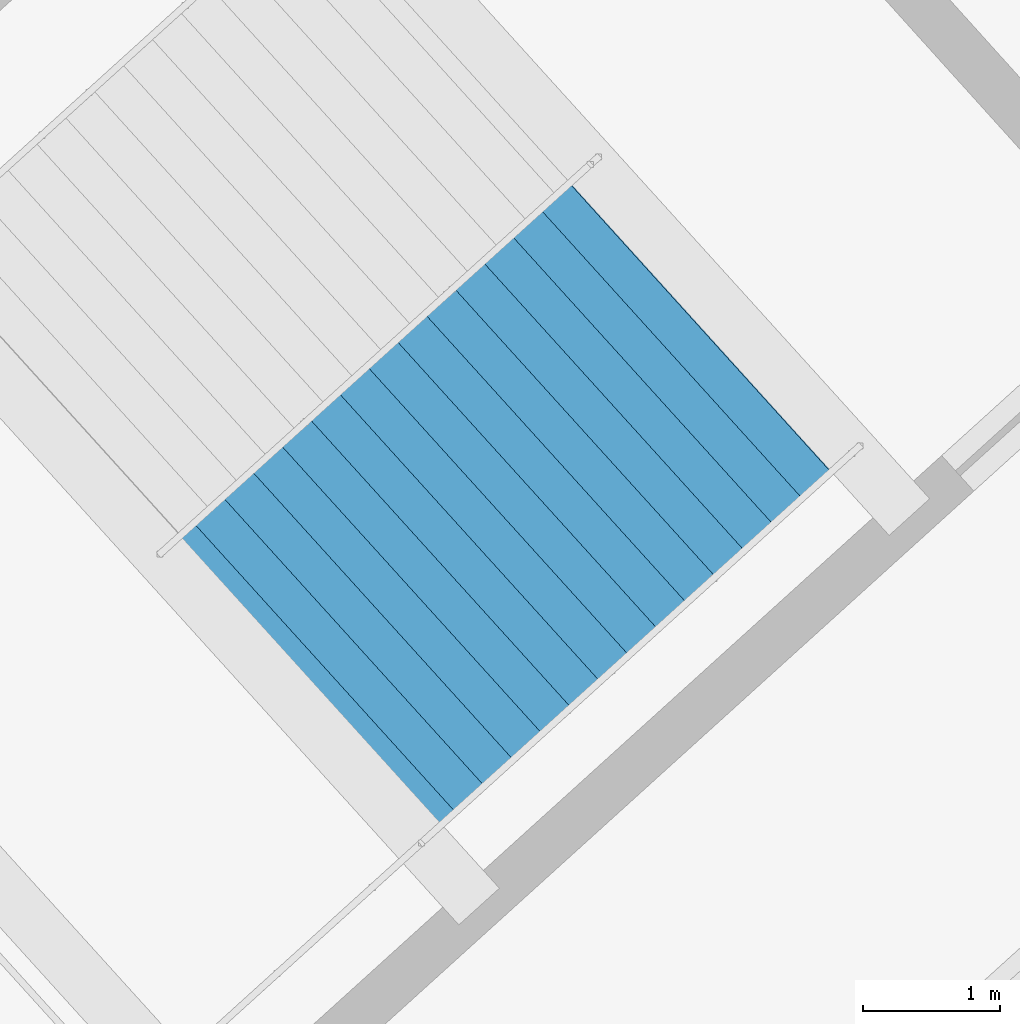
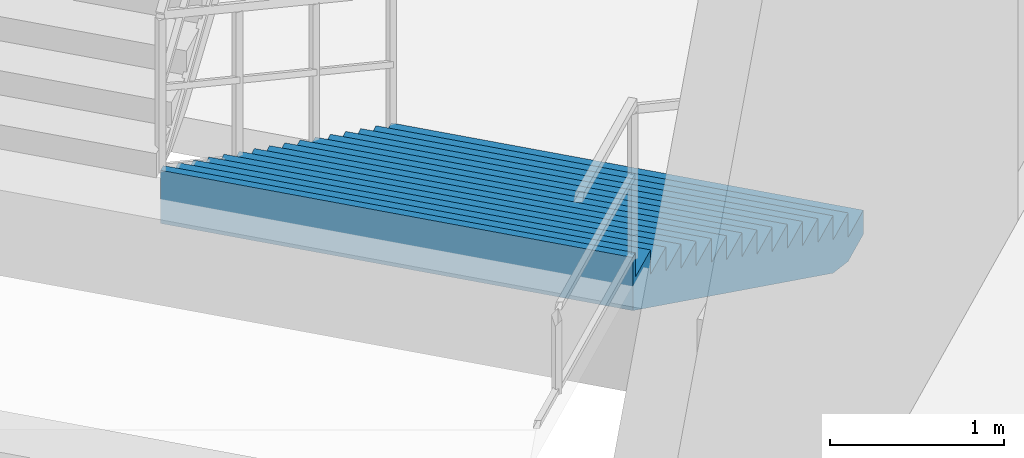
# One storey, part 92 of 103: 1 stair flight, 1 element without a shape of its own.
"""IFC4 building model written with IfcOpenShell, lengths in metres."""

from ifc_helpers import new_model, si_unit, direction, frame, origin, place, context, subcontext, project, spatial, polygons, material, type_object, element, aggregate, save


model = new_model("IFC4")

# Units and contexts
model_context = context("Model", 3, precision=1e-05, world=origin(), true_north=direction((0.0, 1.0)))
body_context = subcontext(model_context, "Body", "Model", "MODEL_VIEW")
ifc_project = project(units=[si_unit("LENGTHUNIT", "METRE"), si_unit("AREAUNIT", "SQUARE_METRE"), si_unit("VOLUMEUNIT", "CUBIC_METRE"), si_unit("PLANEANGLEUNIT", "RADIAN"), si_unit("MASSUNIT", "GRAM", prefix="KILO")], contexts=[model_context])

# Site, building, storey
site_placement = place(None, origin())
site = spatial("IfcSite", under=ifc_project, at=site_placement, CompositionType="ELEMENT")
building_placement = place(site_placement, origin())
building = spatial("IfcBuilding", under=site, at=building_placement, Name="Kazemori Nagisa Stadium", CompositionType="ELEMENT")
storey_placement = place(building_placement, frame((0.0, 0.0, 25.840087890625)))
storey = spatial("IfcBuildingStorey", under=building, at=storey_placement, Name="L05", CompositionType="ELEMENT", Elevation=25.840087890625)

# Stair, stair flight
ifc_material = material(Name="Concrete C36/45 (Fc36)", Category="concrete")
stair_type = type_object("IfcStairType", Name="Stair_CORE_32", PredefinedType="TWO_STRAIGHT_RUN_STAIR", material=ifc_material)
stair_placement = place(storey_placement, origin())
stair = element("IfcStair", 1, at=stair_placement, inside=storey, type_object=stair_type, Name="Exit stair ST02 L05", PredefinedType="TWO_STRAIGHT_RUN_STAIR")
stair_flight_type = type_object("IfcStairFlightType", Name="Flight_CORE_16", PredefinedType="STRAIGHT", material=ifc_material)
stair_flight_placement = place(storey_placement, frame((63.22412109375, 164.589599609375, 0.0), z_axis=(0.0, 0.0, 1.0), x_axis=(-0.741328742395, -0.671142083093, 0.0)))
stair_flight = element("IfcStairFlight", 2, at=stair_flight_placement, type_object=stair_flight_type, Name="Exit stair ST02 L05 flight 1", NumberOfRisers=16, NumberOfTreads=15, PredefinedType="STRAIGHT", RiserHeight=0.17, TreadLength=0.285, context=body_context, shape_type="Tessellation", body=[
    polygons([(0.0, -1.425048828125, 0.0), (0.0, -1.425048828125, 0.169921875), (0.284912109375, -1.425048828125, 0.169921875), (0.284912109375, -1.425048828125, 0.340087890625), (0.570068359375, -1.425048828125, 0.340087890625), (0.570068359375, -1.425048828125, 0.510009765625), (0.85498046875, -1.425048828125, 0.510009765625), (0.85498046875, -1.425048828125, 0.679931640625), (1.139892578125, -1.425048828125, 0.679931640625), (1.139892578125, -1.425048828125, 0.85009765625), (1.425048828125, -1.425048828125, 0.85009765625), (1.425048828125, -1.425048828125, 1.02001953125), (1.7099609375, -1.425048828125, 1.02001953125), (1.7099609375, -1.425048828125, 1.18994140625), (1.9951171875, -1.425048828125, 1.18994140625), (1.9951171875, -1.425048828125, 1.360107421875), (2.280029296875, -1.425048828125, 1.360107421875), (2.280029296875, -1.425048828125, 1.530029296875), (2.56494140625, -1.425048828125, 1.530029296875), (2.56494140625, -1.425048828125, 1.699951171875), (2.85009765625, -1.425048828125, 1.699951171875), (2.85009765625, -1.425048828125, 1.8701171875), (3.135009765625, -1.425048828125, 1.8701171875), (3.135009765625, -1.425048828125, 2.0400390625), (3.419921875, -1.425048828125, 2.0400390625), (3.419921875, -1.425048828125, 2.2099609375), (3.705078125, -1.425048828125, 2.2099609375), (3.705078125, -1.425048828125, 2.3798828125), (3.989990234375, -1.425048828125, 2.3798828125), (3.989990234375, -1.425048828125, 2.550048828125), (4.27490234375, -1.425048828125, 2.550048828125), (4.27490234375, -1.425048828125, 2.719970703125), (4.324951171875, -1.425048828125, 2.719970703125), (4.324951171875, -1.425048828125, 2.346923828125), (4.27490234375, -1.425048828125, 2.317138671875), (3.989990234375, -1.425048828125, 2.147216796875), (3.705078125, -1.425048828125, 1.977294921875), (3.419921875, -1.425048828125, 1.80712890625), (3.135009765625, -1.425048828125, 1.63720703125), (2.85009765625, -1.425048828125, 1.46728515625), (2.56494140625, -1.425048828125, 1.297119140625), (2.280029296875, -1.425048828125, 1.127197265625), (1.9951171875, -1.425048828125, 0.957275390625), (1.7099609375, -1.425048828125, 0.787109375), (1.425048828125, -1.425048828125, 0.6171875), (1.139892578125, -1.425048828125, 0.447265625), (0.85498046875, -1.425048828125, 0.277099609375), (0.570068359375, -1.425048828125, 0.107177734375), (0.284912109375, -1.425048828125, 0.0), (0.0, -0.08544921875, 0.0), (0.0, -0.08544921875, 0.169921875), (0.284912109375, -0.08544921875, 0.169921875), (0.284912109375, -0.08544921875, 0.340087890625), (0.570068359375, -0.08544921875, 0.340087890625), (0.570068359375, -0.08544921875, 0.510009765625), (0.85498046875, -0.08544921875, 0.510009765625), (0.85498046875, -0.08544921875, 0.679931640625), (1.139892578125, -0.08544921875, 0.679931640625), (1.139892578125, -0.08544921875, 0.85009765625), (1.425048828125, -0.08544921875, 0.85009765625), (1.425048828125, -0.08544921875, 1.02001953125), (1.7099609375, -0.08544921875, 1.02001953125), (1.7099609375, -0.08544921875, 1.18994140625), (1.9951171875, -0.08544921875, 1.18994140625), (1.9951171875, -0.08544921875, 1.360107421875), (2.280029296875, -0.08544921875, 1.360107421875), (2.280029296875, -0.08544921875, 1.530029296875), (2.56494140625, -0.08544921875, 1.530029296875), (2.56494140625, -0.08544921875, 1.699951171875), (2.85009765625, -0.08544921875, 1.699951171875), (2.85009765625, -0.08544921875, 1.8701171875), (3.135009765625, -0.08544921875, 1.8701171875), (3.135009765625, -0.08544921875, 2.0400390625), (3.419921875, -0.08544921875, 2.0400390625), (3.419921875, -0.08544921875, 2.2099609375), (3.705078125, -0.08544921875, 2.2099609375), (3.705078125, -0.08544921875, 2.3798828125), (3.989990234375, -0.08544921875, 2.3798828125), (3.989990234375, -0.08544921875, 2.550048828125), (4.27490234375, -0.08544921875, 2.550048828125), (4.27490234375, -0.08544921875, 2.719970703125), (4.324951171875, -0.08544921875, 2.719970703125), (4.324951171875, -0.08544921875, 2.346923828125), (4.27490234375, -0.08544921875, 2.317138671875), (3.989990234375, -0.08544921875, 2.147216796875), (3.705078125, -0.08544921875, 1.977294921875), (3.419921875, -0.08544921875, 1.80712890625), (3.135009765625, -0.08544921875, 1.63720703125), (2.85009765625, -0.08544921875, 1.46728515625), (2.56494140625, -0.08544921875, 1.297119140625), (2.280029296875, -0.08544921875, 1.127197265625), (1.9951171875, -0.08544921875, 0.957275390625), (1.7099609375, -0.08544921875, 0.787109375), (1.425048828125, -0.08544921875, 0.6171875), (1.139892578125, -0.08544921875, 0.447265625), (0.85498046875, -0.08544921875, 0.277099609375), (0.570068359375, -0.08544921875, 0.107177734375), (0.284912109375, -0.08544921875, 0.0), (0.0, 0.0, 0.0), (0.0, 0.0, 0.169921875), (0.284912109375, 0.0, 0.169921875), (0.284912109375, 0.0, 0.340087890625), (0.570068359375, 0.0, 0.340087890625), (0.570068359375, 0.0, 0.510009765625), (0.85498046875, 0.0, 0.510009765625), (0.85498046875, 0.0, 0.679931640625), (1.139892578125, 0.0, 0.679931640625), (1.139892578125, 0.0, 0.85009765625), (1.425048828125, 0.0, 0.85009765625), (1.425048828125, 0.0, 1.02001953125), (1.7099609375, 0.0, 1.02001953125), (1.7099609375, 0.0, 1.18994140625), (1.9951171875, 0.0, 1.18994140625), (1.9951171875, 0.0, 1.360107421875), (2.280029296875, 0.0, 1.360107421875), (2.280029296875, 0.0, 1.530029296875), (2.56494140625, 0.0, 1.530029296875), (2.56494140625, 0.0, 1.699951171875), (2.85009765625, 0.0, 1.699951171875), (2.85009765625, 0.0, 1.8701171875), (3.135009765625, 0.0, 1.8701171875), (3.135009765625, 0.0, 2.0400390625), (3.419921875, 0.0, 2.0400390625), (3.419921875, 0.0, 2.2099609375), (3.705078125, 0.0, 2.2099609375), (3.705078125, 0.0, 2.3798828125), (3.989990234375, 0.0, 2.3798828125), (3.989990234375, 0.0, 2.550048828125), (4.27490234375, 0.0, 2.550048828125), (4.27490234375, 0.0, 2.719970703125), (4.324951171875, 0.0, 2.719970703125), (4.324951171875, 0.0, 2.346923828125), (4.27490234375, 0.0, 2.317138671875), (3.989990234375, 0.0, 2.147216796875), (3.705078125, 0.0, 1.977294921875), (3.419921875, 0.0, 1.80712890625), (3.135009765625, 0.0, 1.63720703125), (2.85009765625, 0.0, 1.46728515625), (2.56494140625, 0.0, 1.297119140625), (2.280029296875, 0.0, 1.127197265625), (1.9951171875, 0.0, 0.957275390625), (1.7099609375, 0.0, 0.787109375), (1.425048828125, 0.0, 0.6171875), (1.139892578125, 0.0, 0.447265625), (0.85498046875, 0.0, 0.277099609375), (0.570068359375, 0.0, 0.107177734375), (0.284912109375, 0.0, 0.0), (0.0, 0.08544921875, 0.0), (0.0, 0.08544921875, 0.169921875), (0.284912109375, 0.08544921875, 0.169921875), (0.284912109375, 0.08544921875, 0.340087890625), (0.570068359375, 0.08544921875, 0.340087890625), (0.570068359375, 0.08544921875, 0.510009765625), (0.85498046875, 0.08544921875, 0.510009765625), (0.85498046875, 0.08544921875, 0.679931640625), (1.139892578125, 0.08544921875, 0.679931640625), (1.139892578125, 0.08544921875, 0.85009765625), (1.425048828125, 0.08544921875, 0.85009765625), (1.425048828125, 0.08544921875, 1.02001953125), (1.7099609375, 0.08544921875, 1.02001953125), (1.7099609375, 0.08544921875, 1.18994140625), (1.9951171875, 0.08544921875, 1.18994140625), (1.9951171875, 0.08544921875, 1.360107421875), (2.280029296875, 0.08544921875, 1.360107421875), (2.280029296875, 0.08544921875, 1.530029296875), (2.56494140625, 0.08544921875, 1.530029296875), (2.56494140625, 0.08544921875, 1.699951171875), (2.85009765625, 0.08544921875, 1.699951171875), (2.85009765625, 0.08544921875, 1.8701171875), (3.135009765625, 0.08544921875, 1.8701171875), (3.135009765625, 0.08544921875, 2.0400390625), (3.419921875, 0.08544921875, 2.0400390625), (3.419921875, 0.08544921875, 2.2099609375), (3.705078125, 0.08544921875, 2.2099609375), (3.705078125, 0.08544921875, 2.3798828125), (3.989990234375, 0.08544921875, 2.3798828125), (3.989990234375, 0.08544921875, 2.550048828125), (4.27490234375, 0.08544921875, 2.550048828125), (4.27490234375, 0.08544921875, 2.719970703125), (4.324951171875, 0.08544921875, 2.719970703125), (4.324951171875, 0.08544921875, 2.346923828125), (4.27490234375, 0.08544921875, 2.317138671875), (3.989990234375, 0.08544921875, 2.147216796875), (3.705078125, 0.08544921875, 1.977294921875), (3.419921875, 0.08544921875, 1.80712890625), (3.135009765625, 0.08544921875, 1.63720703125), (2.85009765625, 0.08544921875, 1.46728515625), (2.56494140625, 0.08544921875, 1.297119140625), (2.280029296875, 0.08544921875, 1.127197265625), (1.9951171875, 0.08544921875, 0.957275390625), (1.7099609375, 0.08544921875, 0.787109375), (1.425048828125, 0.08544921875, 0.6171875), (1.139892578125, 0.08544921875, 0.447265625), (0.85498046875, 0.08544921875, 0.277099609375), (0.570068359375, 0.08544921875, 0.107177734375), (0.284912109375, 0.08544921875, 0.0), (0.0, 1.425048828125, 0.0), (0.0, 1.425048828125, 0.169921875), (0.284912109375, 1.425048828125, 0.169921875), (0.284912109375, 1.425048828125, 0.340087890625), (0.570068359375, 1.425048828125, 0.340087890625), (0.570068359375, 1.425048828125, 0.510009765625), (0.85498046875, 1.425048828125, 0.510009765625), (0.85498046875, 1.425048828125, 0.679931640625), (1.139892578125, 1.425048828125, 0.679931640625), (1.139892578125, 1.425048828125, 0.85009765625), (1.425048828125, 1.425048828125, 0.85009765625), (1.425048828125, 1.425048828125, 1.02001953125), (1.7099609375, 1.425048828125, 1.02001953125), (1.7099609375, 1.425048828125, 1.18994140625), (1.9951171875, 1.425048828125, 1.18994140625), (1.9951171875, 1.425048828125, 1.360107421875), (2.280029296875, 1.425048828125, 1.360107421875), (2.280029296875, 1.425048828125, 1.530029296875), (2.56494140625, 1.425048828125, 1.530029296875), (2.56494140625, 1.425048828125, 1.699951171875), (2.85009765625, 1.425048828125, 1.699951171875), (2.85009765625, 1.425048828125, 1.8701171875), (3.135009765625, 1.425048828125, 1.8701171875), (3.135009765625, 1.425048828125, 2.0400390625), (3.419921875, 1.425048828125, 2.0400390625), (3.419921875, 1.425048828125, 2.2099609375), (3.705078125, 1.425048828125, 2.2099609375), (3.705078125, 1.425048828125, 2.3798828125), (3.989990234375, 1.425048828125, 2.3798828125), (3.989990234375, 1.425048828125, 2.550048828125), (4.27490234375, 1.425048828125, 2.550048828125), (4.27490234375, 1.425048828125, 2.719970703125), (4.324951171875, 1.425048828125, 2.719970703125), (4.324951171875, 1.425048828125, 2.346923828125), (4.27490234375, 1.425048828125, 2.317138671875), (3.989990234375, 1.425048828125, 2.147216796875), (3.705078125, 1.425048828125, 1.977294921875), (3.419921875, 1.425048828125, 1.80712890625), (3.135009765625, 1.425048828125, 1.63720703125), (2.85009765625, 1.425048828125, 1.46728515625), (2.56494140625, 1.425048828125, 1.297119140625), (2.280029296875, 1.425048828125, 1.127197265625), (1.9951171875, 1.425048828125, 0.957275390625), (1.7099609375, 1.425048828125, 0.787109375), (1.425048828125, 1.425048828125, 0.6171875), (1.139892578125, 1.425048828125, 0.447265625), (0.85498046875, 1.425048828125, 0.277099609375), (0.570068359375, 1.425048828125, 0.107177734375), (0.284912109375, 1.425048828125, 0.0)], [[[1, 2, 51]], [[1, 51, 50]], [[2, 3, 52]], [[2, 52, 51]], [[3, 4, 53]], [[3, 53, 52]], [[4, 5, 54]], [[4, 54, 53]], [[5, 6, 55]], [[5, 55, 54]], [[6, 7, 56]], [[6, 56, 55]], [[7, 8, 57]], [[7, 57, 56]], [[8, 9, 58]], [[8, 58, 57]], [[9, 10, 59]], [[9, 59, 58]], [[10, 11, 60]], [[10, 60, 59]], [[11, 12, 61]], [[11, 61, 60]], [[12, 13, 62]], [[12, 62, 61]], [[13, 14, 63]], [[13, 63, 62]], [[14, 15, 64]], [[14, 64, 63]], [[15, 16, 65]], [[15, 65, 64]], [[16, 17, 66]], [[16, 66, 65]], [[17, 18, 67]], [[17, 67, 66]], [[18, 19, 68]], [[18, 68, 67]], [[19, 20, 69]], [[19, 69, 68]], [[20, 21, 70]], [[20, 70, 69]], [[21, 22, 71]], [[21, 71, 70]], [[22, 23, 72]], [[22, 72, 71]], [[23, 24, 73]], [[23, 73, 72]], [[24, 25, 74]], [[24, 74, 73]], [[25, 26, 75]], [[25, 75, 74]], [[26, 27, 76]], [[26, 76, 75]], [[27, 28, 77]], [[27, 77, 76]], [[28, 29, 78]], [[28, 78, 77]], [[29, 30, 79]], [[29, 79, 78]], [[30, 31, 80]], [[30, 80, 79]], [[31, 32, 81]], [[31, 81, 80]], [[32, 33, 82]], [[32, 82, 81]], [[33, 34, 83]], [[33, 83, 82]], [[34, 35, 84]], [[34, 84, 83]], [[35, 36, 85]], [[35, 85, 84]], [[36, 37, 86]], [[36, 86, 85]], [[37, 38, 87]], [[37, 87, 86]], [[38, 39, 88]], [[38, 88, 87]], [[39, 40, 89]], [[39, 89, 88]], [[40, 41, 90]], [[40, 90, 89]], [[41, 42, 91]], [[41, 91, 90]], [[42, 43, 92]], [[42, 92, 91]], [[43, 44, 93]], [[43, 93, 92]], [[44, 45, 94]], [[44, 94, 93]], [[45, 46, 95]], [[45, 95, 94]], [[46, 47, 96]], [[46, 96, 95]], [[47, 48, 97]], [[47, 97, 96]], [[48, 49, 98]], [[48, 98, 97]], [[49, 1, 50]], [[49, 50, 98]], [[50, 51, 100]], [[50, 100, 99]], [[51, 52, 101]], [[51, 101, 100]], [[52, 53, 102]], [[52, 102, 101]], [[53, 54, 103]], [[53, 103, 102]], [[54, 55, 104]], [[54, 104, 103]], [[55, 56, 105]], [[55, 105, 104]], [[56, 57, 106]], [[56, 106, 105]], [[57, 58, 107]], [[57, 107, 106]], [[58, 59, 108]], [[58, 108, 107]], [[59, 60, 109]], [[59, 109, 108]], [[60, 61, 110]], [[60, 110, 109]], [[61, 62, 111]], [[61, 111, 110]], [[62, 63, 112]], [[62, 112, 111]], [[63, 64, 113]], [[63, 113, 112]], [[64, 65, 114]], [[64, 114, 113]], [[65, 66, 115]], [[65, 115, 114]], [[66, 67, 116]], [[66, 116, 115]], [[67, 68, 117]], [[67, 117, 116]], [[68, 69, 118]], [[68, 118, 117]], [[69, 70, 119]], [[69, 119, 118]], [[70, 71, 120]], [[70, 120, 119]], [[71, 72, 121]], [[71, 121, 120]], [[72, 73, 122]], [[72, 122, 121]], [[73, 74, 123]], [[73, 123, 122]], [[74, 75, 124]], [[74, 124, 123]], [[75, 76, 125]], [[75, 125, 124]], [[76, 77, 126]], [[76, 126, 125]], [[77, 78, 127]], [[77, 127, 126]], [[78, 79, 128]], [[78, 128, 127]], [[79, 80, 129]], [[79, 129, 128]], [[80, 81, 130]], [[80, 130, 129]], [[81, 82, 131]], [[81, 131, 130]], [[82, 83, 132]], [[82, 132, 131]], [[83, 84, 133]], [[83, 133, 132]], [[84, 85, 134]], [[84, 134, 133]], [[85, 86, 135]], [[85, 135, 134]], [[86, 87, 136]], [[86, 136, 135]], [[87, 88, 137]], [[87, 137, 136]], [[88, 89, 138]], [[88, 138, 137]], [[89, 90, 139]], [[89, 139, 138]], [[90, 91, 140]], [[90, 140, 139]], [[91, 92, 141]], [[91, 141, 140]], [[92, 93, 142]], [[92, 142, 141]], [[93, 94, 143]], [[93, 143, 142]], [[94, 95, 144]], [[94, 144, 143]], [[95, 96, 145]], [[95, 145, 144]], [[96, 97, 146]], [[96, 146, 145]], [[97, 98, 147]], [[97, 147, 146]], [[98, 50, 99]], [[98, 99, 147]], [[99, 100, 149]], [[99, 149, 148]], [[100, 101, 150]], [[100, 150, 149]], [[101, 102, 151]], [[101, 151, 150]], [[102, 103, 152]], [[102, 152, 151]], [[103, 104, 153]], [[103, 153, 152]], [[104, 105, 154]], [[104, 154, 153]], [[105, 106, 155]], [[105, 155, 154]], [[106, 107, 156]], [[106, 156, 155]], [[107, 108, 157]], [[107, 157, 156]], [[108, 109, 158]], [[108, 158, 157]], [[109, 110, 159]], [[109, 159, 158]], [[110, 111, 160]], [[110, 160, 159]], [[111, 112, 161]], [[111, 161, 160]], [[112, 113, 162]], [[112, 162, 161]], [[113, 114, 163]], [[113, 163, 162]], [[114, 115, 164]], [[114, 164, 163]], [[115, 116, 165]], [[115, 165, 164]], [[116, 117, 166]], [[116, 166, 165]], [[117, 118, 167]], [[117, 167, 166]], [[118, 119, 168]], [[118, 168, 167]], [[119, 120, 169]], [[119, 169, 168]], [[120, 121, 170]], [[120, 170, 169]], [[121, 122, 171]], [[121, 171, 170]], [[122, 123, 172]], [[122, 172, 171]], [[123, 124, 173]], [[123, 173, 172]], [[124, 125, 174]], [[124, 174, 173]], [[125, 126, 175]], [[125, 175, 174]], [[126, 127, 176]], [[126, 176, 175]], [[127, 128, 177]], [[127, 177, 176]], [[128, 129, 178]], [[128, 178, 177]], [[129, 130, 179]], [[129, 179, 178]], [[130, 131, 180]], [[130, 180, 179]], [[131, 132, 181]], [[131, 181, 180]], [[132, 133, 182]], [[132, 182, 181]], [[133, 134, 183]], [[133, 183, 182]], [[134, 135, 184]], [[134, 184, 183]], [[135, 136, 185]], [[135, 185, 184]], [[136, 137, 186]], [[136, 186, 185]], [[137, 138, 187]], [[137, 187, 186]], [[138, 139, 188]], [[138, 188, 187]], [[139, 140, 189]], [[139, 189, 188]], [[140, 141, 190]], [[140, 190, 189]], [[141, 142, 191]], [[141, 191, 190]], [[142, 143, 192]], [[142, 192, 191]], [[143, 144, 193]], [[143, 193, 192]], [[144, 145, 194]], [[144, 194, 193]], [[145, 146, 195]], [[145, 195, 194]], [[146, 147, 196]], [[146, 196, 195]], [[147, 99, 148]], [[147, 148, 196]], [[148, 149, 198]], [[148, 198, 197]], [[149, 150, 199]], [[149, 199, 198]], [[150, 151, 200]], [[150, 200, 199]], [[151, 152, 201]], [[151, 201, 200]], [[152, 153, 202]], [[152, 202, 201]], [[153, 154, 203]], [[153, 203, 202]], [[154, 155, 204]], [[154, 204, 203]], [[155, 156, 205]], [[155, 205, 204]], [[156, 157, 206]], [[156, 206, 205]], [[157, 158, 207]], [[157, 207, 206]], [[158, 159, 208]], [[158, 208, 207]], [[159, 160, 209]], [[159, 209, 208]], [[160, 161, 210]], [[160, 210, 209]], [[161, 162, 211]], [[161, 211, 210]], [[162, 163, 212]], [[162, 212, 211]], [[163, 164, 213]], [[163, 213, 212]], [[164, 165, 214]], [[164, 214, 213]], [[165, 166, 215]], [[165, 215, 214]], [[166, 167, 216]], [[166, 216, 215]], [[167, 168, 217]], [[167, 217, 216]], [[168, 169, 218]], [[168, 218, 217]], [[169, 170, 219]], [[169, 219, 218]], [[170, 171, 220]], [[170, 220, 219]], [[171, 172, 221]], [[171, 221, 220]], [[172, 173, 222]], [[172, 222, 221]], [[173, 174, 223]], [[173, 223, 222]], [[174, 175, 224]], [[174, 224, 223]], [[175, 176, 225]], [[175, 225, 224]], [[176, 177, 226]], [[176, 226, 225]], [[177, 178, 227]], [[177, 227, 226]], [[178, 179, 228]], [[178, 228, 227]], [[179, 180, 229]], [[179, 229, 228]], [[180, 181, 230]], [[180, 230, 229]], [[181, 182, 231]], [[181, 231, 230]], [[182, 183, 232]], [[182, 232, 231]], [[183, 184, 233]], [[183, 233, 232]], [[184, 185, 234]], [[184, 234, 233]], [[185, 186, 235]], [[185, 235, 234]], [[186, 187, 236]], [[186, 236, 235]], [[187, 188, 237]], [[187, 237, 236]], [[188, 189, 238]], [[188, 238, 237]], [[189, 190, 239]], [[189, 239, 238]], [[190, 191, 240]], [[190, 240, 239]], [[191, 192, 241]], [[191, 241, 240]], [[192, 193, 242]], [[192, 242, 241]], [[193, 194, 243]], [[193, 243, 242]], [[194, 195, 244]], [[194, 244, 243]], [[195, 196, 245]], [[195, 245, 244]], [[196, 148, 197]], [[196, 197, 245]], [[3, 2, 1]], [[197, 198, 199]], [[49, 3, 1]], [[197, 199, 245]], [[48, 3, 49]], [[245, 199, 244]], [[5, 3, 48]], [[244, 199, 201]], [[5, 4, 3]], [[199, 200, 201]], [[47, 5, 48]], [[244, 201, 243]], [[7, 5, 47]], [[243, 201, 203]], [[7, 6, 5]], [[201, 202, 203]], [[46, 7, 47]], [[243, 203, 242]], [[9, 7, 46]], [[242, 203, 205]], [[9, 8, 7]], [[203, 204, 205]], [[45, 9, 46]], [[242, 205, 241]], [[11, 9, 45]], [[241, 205, 207]], [[11, 10, 9]], [[205, 206, 207]], [[44, 11, 45]], [[241, 207, 240]], [[13, 11, 44]], [[240, 207, 209]], [[13, 12, 11]], [[207, 208, 209]], [[43, 13, 44]], [[240, 209, 239]], [[15, 13, 43]], [[239, 209, 211]], [[15, 14, 13]], [[209, 210, 211]], [[42, 15, 43]], [[239, 211, 238]], [[17, 15, 42]], [[238, 211, 213]], [[17, 16, 15]], [[211, 212, 213]], [[41, 17, 42]], [[238, 213, 237]], [[19, 17, 41]], [[237, 213, 215]], [[19, 18, 17]], [[213, 214, 215]], [[40, 19, 41]], [[237, 215, 236]], [[21, 19, 40]], [[236, 215, 217]], [[21, 20, 19]], [[215, 216, 217]], [[39, 21, 40]], [[236, 217, 235]], [[23, 21, 39]], [[235, 217, 219]], [[23, 22, 21]], [[217, 218, 219]], [[38, 23, 39]], [[235, 219, 234]], [[25, 23, 38]], [[234, 219, 221]], [[25, 24, 23]], [[219, 220, 221]], [[37, 25, 38]], [[234, 221, 233]], [[27, 25, 37]], [[233, 221, 223]], [[27, 26, 25]], [[221, 222, 223]], [[36, 27, 37]], [[233, 223, 232]], [[29, 27, 36]], [[232, 223, 225]], [[29, 28, 27]], [[223, 224, 225]], [[35, 29, 36]], [[232, 225, 231]], [[31, 29, 35]], [[231, 225, 227]], [[31, 30, 29]], [[225, 226, 227]], [[34, 31, 35]], [[231, 227, 230]], [[33, 31, 34]], [[230, 227, 229]], [[33, 32, 31]], [[227, 228, 229]]], closed=True),
])
aggregate(stair, [stair_flight])

save(model, "model.ifc")
